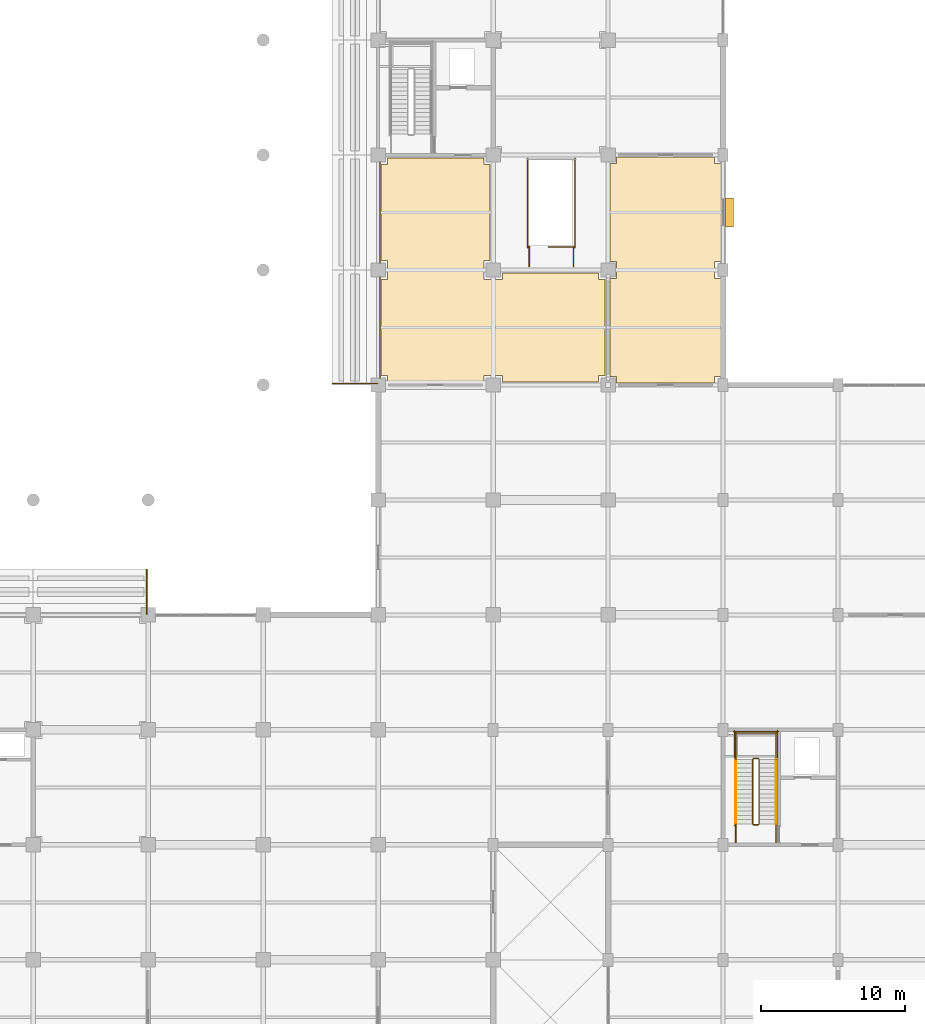
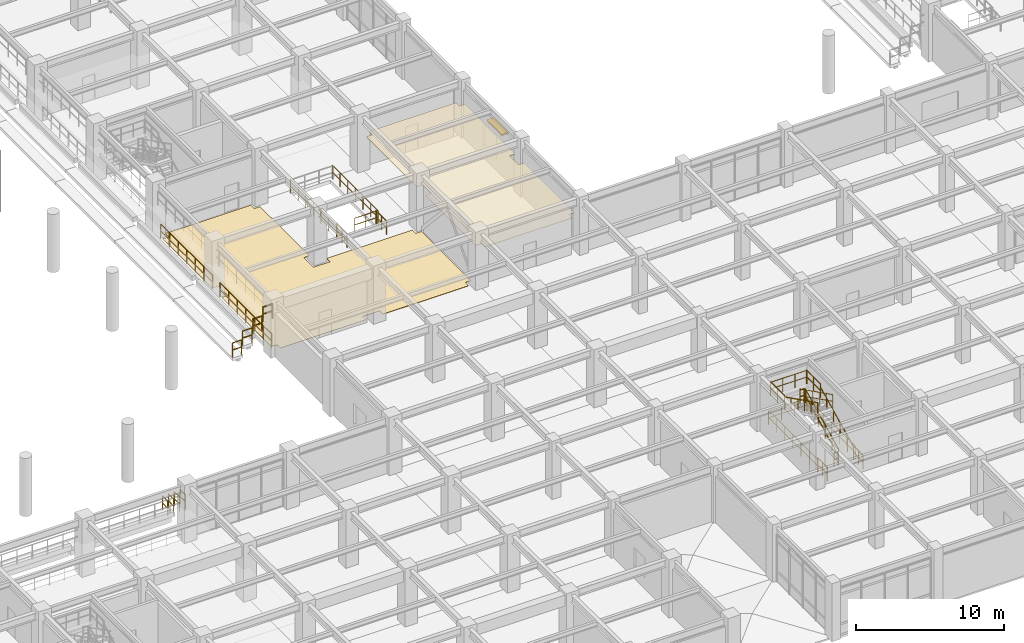
# One storey, part 106 of 117: 29 railings, 2 coverings, 1 shading device.
"""IFC4 building model written with IfcOpenShell, lengths in metres."""

from ifc_helpers import new_model, si_unit, direction, frame, origin, origin_2d, place, context, subcontext, project, spatial, polyline, rectangle, circle, outline, extrude, material, layer, layer_set, type_object, element, save


model = new_model("IFC4")

# Units and contexts
model_context = context("Model", 3, precision=1e-05, world=origin(), true_north=direction((0.0, 1.0)))
body_context = subcontext(model_context, "Body", "Model", "MODEL_VIEW")
ifc_project = project(units=[si_unit("LENGTHUNIT", "METRE"), si_unit("AREAUNIT", "SQUARE_METRE"), si_unit("VOLUMEUNIT", "CUBIC_METRE"), si_unit("PLANEANGLEUNIT", "RADIAN"), si_unit("MASSUNIT", "GRAM", prefix="KILO")], contexts=[model_context])

# Site, building, storey
site_placement = place(None, origin())
site = spatial("IfcSite", under=ifc_project, at=site_placement, CompositionType="ELEMENT")
building_placement = place(site_placement, origin())
building = spatial("IfcBuilding", under=site, at=building_placement, Name="Haebicheon Civic Stadium", CompositionType="ELEMENT")
storey_placement = place(building_placement, frame((0.0, 0.0, 4.800048828125)))
storey = spatial("IfcBuildingStorey", under=building, at=storey_placement, Name="L02", CompositionType="ELEMENT", Elevation=4.800048828125)

# Coverings
ifc_material_1 = material(Name="Perforated mineral-fibre acoustic board", Category="gypsum")
ifc_layer_1 = layer(ifc_material_1, 0.0400390625, Name="Perforated mineral-fibre acoustic board")
ifc_layer_set_1 = layer_set([ifc_layer_1], Name="Perforated mineral-fibre acoustic board")
covering_type_1 = type_object("IfcCoveringType", Name="COV-CLG-AC", PredefinedType="CEILING", material=ifc_layer_set_1)
covering_1_placement = place(storey_placement, frame((0.0, 0.0, 2.81005859375)))
element("IfcCovering", 1, at=covering_1_placement, inside=storey, type_object=covering_type_1, material=ifc_layer_set_1, Name="L02 Main Spectator Concourse acoustic ceiling", PredefinedType="CEILING", context=body_context, shape_type="SweptSolid", body=[
    extrude(outline(polyline([(160.594970703125, 48.14501953125), (160.594970703125, 48.594970703125), (160.14501953125, 48.594970703125), (160.14501953125, 55.405029296875), (160.594970703125, 55.405029296875), (160.594970703125, 56.594970703125), (160.14501953125, 56.594970703125), (160.14501953125, 63.405029296875), (160.594970703125, 63.405029296875), (160.594970703125, 63.85498046875), (167.405029296875, 63.85498046875), (167.405029296875, 63.405029296875), (167.85498046875, 63.405029296875), (167.85498046875, 56.594970703125), (167.405029296875, 56.594970703125), (167.405029296875, 55.405029296875), (167.85498046875, 55.405029296875), (167.85498046875, 48.594970703125), (167.405029296875, 48.594970703125), (167.405029296875, 48.14501953125), (160.594970703125, 48.14501953125)])), origin(), (0.0, 0.0, 1.0), 0.039794921875),
])
ifc_material_2 = material(Name="Quartz epoxy resin mortar", Category="concrete")
ifc_layer_2 = layer(ifc_material_2, 0.030029296875, Name="Quartz epoxy resin mortar")
ifc_layer_set_2 = layer_set([ifc_layer_2], Name="Quartz epoxy resin mortar")
covering_type_2 = type_object("IfcCoveringType", Name="COV-FLR-EPX", PredefinedType="FLOORING", material=ifc_layer_set_2)
covering_2_placement = place(storey_placement, origin())
element("IfcCovering", 2, at=covering_2_placement, inside=storey, type_object=covering_type_2, material=ifc_layer_set_2, Name="L02 Main Spectator Concourse non-slip floor finish", PredefinedType="FLOORING", context=body_context, shape_type="SweptSolid", body=[
    extrude(outline(polyline([(144.199951171875, 55.35009765625), (144.64990234375, 55.35009765625), (144.64990234375, 56.64990234375), (144.199951171875, 56.64990234375), (144.199951171875, 63.35009765625), (144.64990234375, 63.35009765625), (144.64990234375, 63.800048828125), (151.35009765625, 63.800048828125), (151.35009765625, 63.35009765625), (151.800048828125, 63.35009765625), (151.800048828125, 56.64990234375), (151.35009765625, 56.64990234375), (151.35009765625, 55.35009765625), (152.64990234375, 55.35009765625), (152.64990234375, 55.800048828125), (159.35009765625, 55.800048828125), (159.35009765625, 55.35009765625), (159.800048828125, 55.35009765625), (159.800048828125, 48.64990234375), (159.35009765625, 48.64990234375), (159.35009765625, 48.199951171875), (152.64990234375, 48.199951171875), (152.64990234375, 48.64990234375), (151.35009765625, 48.64990234375), (151.35009765625, 48.199951171875), (144.64990234375, 48.199951171875), (144.64990234375, 48.64990234375), (144.199951171875, 48.64990234375), (144.199951171875, 55.35009765625)])), origin(), (0.0, 0.0, 1.0), 0.030029296875),
])

# Railings
ifc_material_3 = material(Name="Stainless steel 316 and laminated glass", Category="steel")
railing_type_1 = type_object("IfcRailingType", Name="RL-BAL-1200", PredefinedType="BALUSTRADE", material=ifc_material_3)
for number, where, name in (
    (3, (144.139892578125, 48.5, 0.0), "L02 concourse bowl-edge balustrade 024"),
    (4, (144.139892578125, 56.5, 0.0), "L02 concourse bowl-edge balustrade 025"),
):
    element("IfcRailing", number, at=place(storey_placement, frame(where)), inside=storey, type_object=railing_type_1, material=ifc_material_3, Name=name, PredefinedType="BALUSTRADE", context=body_context, shape_type="SweptSolid", body=[
        extrude(circle(Radius=0.02392578125, at=origin_2d()), frame((0.0, 0.0, 1.17578125), z_axis=(0.0, 1.0, 0.0), x_axis=(-1.0, 0.0, 0.0)), (0.0, 0.0, 1.0), 7.0),
        extrude(circle(Radius=0.02392578125, at=origin_2d()), frame((0.0, 0.0, 0.60009765625), z_axis=(0.0, 1.0, 0.0), x_axis=(-1.0, 0.0, 0.0)), (0.0, 0.0, 1.0), 7.0),
        extrude(circle(Radius=0.02099609375, at=origin_2d()), origin(), (0.0, 0.0, 1.0), 1.15185546875),
        extrude(circle(Radius=0.02099609375, at=origin_2d()), frame((0.0, 1.166748046875, 0.0)), (0.0, 0.0, 1.0), 1.15185546875),
        extrude(circle(Radius=0.02099609375, at=origin_2d()), frame((0.0, 2.333251953125, 0.0)), (0.0, 0.0, 1.0), 1.15185546875),
        extrude(circle(Radius=0.02099609375, at=origin_2d()), frame((0.0, 3.5, 0.0)), (0.0, 0.0, 1.0), 1.15185546875),
        extrude(circle(Radius=0.02099609375, at=origin_2d()), frame((0.0, 4.666748046875, 0.0)), (0.0, 0.0, 1.0), 1.15185546875),
        extrude(circle(Radius=0.02099609375, at=origin_2d()), frame((0.0, 5.833251953125, 0.0)), (0.0, 0.0, 1.0), 1.15185546875),
        extrude(circle(Radius=0.02099609375, at=origin_2d()), frame((0.0, 7.0, 0.0)), (0.0, 0.0, 1.0), 1.15185546875),
    ])
railing_1_placement = place(storey_placement, frame((140.840087890625, 48.10009765625, 0.6669921875)))
element("IfcRailing", 5, at=railing_1_placement, inside=storey, type_object=railing_type_1, material=ifc_material_3, Name="TIER-E-L end-aisle side guard S.7", PredefinedType="BALUSTRADE", context=body_context, shape_type="SweptSolid", body=[
    extrude(circle(Radius=0.02392578125, at=origin_2d()), frame((0.0, 0.0, 1.17578125), z_axis=(1.0, 0.0, 0.0), x_axis=(0.0, 1.0, 0.0)), (0.0, 0.0, 1.0), 0.719970703125),
    extrude(circle(Radius=0.02392578125, at=origin_2d()), frame((0.0, 0.0, 0.60009765625), z_axis=(1.0, 0.0, 0.0), x_axis=(0.0, 1.0, 0.0)), (0.0, 0.0, 1.0), 0.719970703125),
    extrude(circle(Radius=0.02099609375, at=origin_2d()), origin(), (0.0, 0.0, 1.0), 1.15185546875),
    extrude(circle(Radius=0.02099609375, at=origin_2d()), frame((0.719970703125, 0.0, 0.0)), (0.0, 0.0, 1.0), 1.15185546875),
])
railing_2_placement = place(storey_placement, frame((141.639892578125, 48.10009765625, 1.3779296875)))
element("IfcRailing", 6, at=railing_2_placement, inside=storey, type_object=railing_type_1, material=ifc_material_3, Name="TIER-E-L end-aisle side guard S.8", PredefinedType="BALUSTRADE", context=body_context, shape_type="SweptSolid", body=[
    extrude(circle(Radius=0.02392578125, at=origin_2d()), frame((0.0, 0.0, 1.17578125), z_axis=(1.0, 0.0, 0.0), x_axis=(0.0, 1.0, 0.0)), (0.0, 0.0, 1.0), 0.72021484375),
    extrude(circle(Radius=0.02392578125, at=origin_2d()), frame((0.0, 0.0, 0.60009765625), z_axis=(1.0, 0.0, 0.0), x_axis=(0.0, 1.0, 0.0)), (0.0, 0.0, 1.0), 0.72021484375),
    extrude(circle(Radius=0.02099609375, at=origin_2d()), origin(), (0.0, 0.0, 1.0), 1.15185546875),
    extrude(circle(Radius=0.02099609375, at=origin_2d()), frame((0.72021484375, 0.0, 0.0)), (0.0, 0.0, 1.0), 1.15185546875),
])
for number, where, name in (
    (7, (142.43994140625, 48.10009765625, 2.0888671875), "TIER-E-L end-aisle side guard S.9"),
    (8, (143.239990234375, 48.10009765625, 2.800048828125), "TIER-E-L end-aisle side guard S.10"),
):
    element("IfcRailing", number, at=place(storey_placement, frame(where)), inside=storey, type_object=railing_type_1, material=ifc_material_3, Name=name, PredefinedType="BALUSTRADE", context=body_context, shape_type="SweptSolid", body=[
        extrude(circle(Radius=0.02392578125, at=origin_2d()), frame((0.0, 0.0, 1.17578125), z_axis=(1.0, 0.0, 0.0), x_axis=(0.0, 1.0, 0.0)), (0.0, 0.0, 1.0), 0.719970703125),
        extrude(circle(Radius=0.02392578125, at=origin_2d()), frame((0.0, 0.0, 0.60009765625), z_axis=(1.0, 0.0, 0.0), x_axis=(0.0, 1.0, 0.0)), (0.0, 0.0, 1.0), 0.719970703125),
        extrude(circle(Radius=0.02099609375, at=origin_2d()), origin(), (0.0, 0.0, 1.0), 1.15185546875),
        extrude(circle(Radius=0.02099609375, at=origin_2d()), frame((0.719970703125, 0.0, 0.0)), (0.0, 0.0, 1.0), 1.15185546875),
    ])
railing_3_placement = place(storey_placement, frame((127.89990234375, 34.43994140625, 0.39990234375)))
element("IfcRailing", 9, at=railing_3_placement, inside=storey, type_object=railing_type_1, material=ifc_material_3, Name="TIER-S-L end-aisle side guard E.7", PredefinedType="BALUSTRADE", context=body_context, shape_type="SweptSolid", body=[
    extrude(circle(Radius=0.02392578125, at=origin_2d()), frame((0.0, 0.0, 1.17578125), z_axis=(0.0, 1.0, 0.0), x_axis=(-1.0, 0.0, 0.0)), (0.0, 0.0, 1.0), 0.719970703125),
    extrude(circle(Radius=0.02392578125, at=origin_2d()), frame((0.0, 0.0, 0.60009765625), z_axis=(0.0, 1.0, 0.0), x_axis=(-1.0, 0.0, 0.0)), (0.0, 0.0, 1.0), 0.719970703125),
    extrude(circle(Radius=0.02099609375, at=origin_2d()), origin(), (0.0, 0.0, 1.0), 1.15185546875),
    extrude(circle(Radius=0.02099609375, at=origin_2d()), frame((0.0, 0.719970703125, 0.0)), (0.0, 0.0, 1.0), 1.15185546875),
])
railing_4_placement = place(storey_placement, frame((127.89990234375, 33.639892578125, 1.06689453125)))
element("IfcRailing", 10, at=railing_4_placement, inside=storey, type_object=railing_type_1, material=ifc_material_3, Name="TIER-S-L end-aisle side guard E.8", PredefinedType="BALUSTRADE", context=body_context, shape_type="SweptSolid", body=[
    extrude(circle(Radius=0.02392578125, at=origin_2d()), frame((0.0, 0.0, 1.17578125), z_axis=(0.0, 1.0, 0.0), x_axis=(-1.0, 0.0, 0.0)), (0.0, 0.0, 1.0), 0.72021484375),
    extrude(circle(Radius=0.02392578125, at=origin_2d()), frame((0.0, 0.0, 0.60009765625), z_axis=(0.0, 1.0, 0.0), x_axis=(-1.0, 0.0, 0.0)), (0.0, 0.0, 1.0), 0.72021484375),
    extrude(circle(Radius=0.02099609375, at=origin_2d()), origin(), (0.0, 0.0, 1.0), 1.15185546875),
    extrude(circle(Radius=0.02099609375, at=origin_2d()), frame((0.0, 0.72021484375, 0.0)), (0.0, 0.0, 1.0), 1.15185546875),
])
for number, where, name in (
    (11, (127.89990234375, 32.840087890625, 1.73291015625), "TIER-S-L end-aisle side guard E.9"),
    (12, (127.89990234375, 32.0400390625, 2.39990234375), "TIER-S-L end-aisle side guard E.10"),
):
    element("IfcRailing", number, at=place(storey_placement, frame(where)), inside=storey, type_object=railing_type_1, material=ifc_material_3, Name=name, PredefinedType="BALUSTRADE", context=body_context, shape_type="SweptSolid", body=[
        extrude(circle(Radius=0.02392578125, at=origin_2d()), frame((0.0, 0.0, 1.17578125), z_axis=(0.0, 1.0, 0.0), x_axis=(-1.0, 0.0, 0.0)), (0.0, 0.0, 1.0), 0.719970703125),
        extrude(circle(Radius=0.02392578125, at=origin_2d()), frame((0.0, 0.0, 0.60009765625), z_axis=(0.0, 1.0, 0.0), x_axis=(-1.0, 0.0, 0.0)), (0.0, 0.0, 1.0), 0.719970703125),
        extrude(circle(Radius=0.02099609375, at=origin_2d()), origin(), (0.0, 0.0, 1.0), 1.15185546875),
        extrude(circle(Radius=0.02099609375, at=origin_2d()), frame((0.0, 0.719970703125, 0.0)), (0.0, 0.0, 1.0), 1.15185546875),
    ])
ifc_material_4 = material(Name="Galvanised painted steel SM355", Category="steel")
railing_type_2 = type_object("IfcRailingType", Name="RL-GRD-1150", PredefinedType="GUARDRAIL", material=ifc_material_4)
railing_5_placement = place(storey_placement, frame((170.510009765625, 17.449951171875, 0.14990234375)))
element("IfcRailing", 13, at=railing_5_placement, inside=storey, type_object=railing_type_2, material=ifc_material_4, Name="L02 ST-14 stair guard 1", PredefinedType="GUARDRAIL", context=body_context, shape_type="SweptSolid", body=[
    extrude(circle(Radius=0.02392578125, at=origin_2d()), frame((0.0, 0.0, 1.1259765625), z_axis=(0.0, 0.894427191, 0.4472135955), x_axis=(-1.0, 0.0, 0.0)), (0.0, 0.0, 1.0), 5.03125),
    extrude(circle(Radius=0.02392578125, at=origin_2d()), frame((0.0, 0.0, 0.574951171875), z_axis=(0.0, 0.894427191, 0.4472135955), x_axis=(-1.0, 0.0, 0.0)), (0.0, 0.0, 1.0), 5.03125),
    extrude(circle(Radius=0.02099609375, at=origin_2d()), origin(), (0.0, 0.0, 1.0), 1.101806640625),
    extrude(circle(Radius=0.02099609375, at=origin_2d()), frame((0.0, 0.89990234375, 0.449951171875)), (0.0, 0.0, 1.0), 1.101806640625),
    extrude(circle(Radius=0.02099609375, at=origin_2d()), frame((0.0, 1.800048828125, 0.89990234375)), (0.0, 0.0, 1.0), 1.101806640625),
    extrude(circle(Radius=0.02099609375, at=origin_2d()), frame((0.0, 2.699951171875, 1.35009765625)), (0.0, 0.0, 1.0), 1.101806640625),
    extrude(circle(Radius=0.02099609375, at=origin_2d()), frame((0.0, 3.60009765625, 1.800048828125)), (0.0, 0.0, 1.0), 1.101806640625),
    extrude(circle(Radius=0.02099609375, at=origin_2d()), frame((0.0, 4.5, 2.25)), (0.0, 0.0, 1.0), 1.101806640625),
])
railing_6_placement = place(storey_placement, frame((170.4599609375, 22.0, 2.39990234375)))
element("IfcRailing", 14, at=railing_6_placement, inside=storey, type_object=railing_type_2, material=ifc_material_4, Name="L02 ST-14 stair guard 2", PredefinedType="GUARDRAIL", context=body_context, shape_type="SweptSolid", body=[
    extrude(circle(Radius=0.02392578125, at=origin_2d()), frame((0.0, 0.0, 1.1259765625), z_axis=(-1.0, 0.0, 0.0), x_axis=(0.0, -1.0, 0.0)), (0.0, 0.0, 1.0), 0.33984375),
    extrude(circle(Radius=0.02392578125, at=origin_2d()), frame((0.0, 0.0, 0.574951171875), z_axis=(-1.0, 0.0, 0.0), x_axis=(0.0, -1.0, 0.0)), (0.0, 0.0, 1.0), 0.33984375),
    extrude(circle(Radius=0.02099609375, at=origin_2d()), origin(), (0.0, 0.0, 1.0), 1.101806640625),
    extrude(circle(Radius=0.02099609375, at=origin_2d()), frame((-0.33984375, 0.0, 0.0)), (0.0, 0.0, 1.0), 1.101806640625),
])
for number, where, name in (
    (15, (171.68994140625, 21.949951171875, 2.39990234375), "L02 ST-14 stair guard 3"),
    (16, (168.889892578125, 21.949951171875, 2.39990234375), "L02 ST-14 stair guard 4"),
):
    element("IfcRailing", number, at=place(storey_placement, frame(where)), inside=storey, type_object=railing_type_2, material=ifc_material_4, Name=name, PredefinedType="GUARDRAIL", context=body_context, shape_type="SweptSolid", body=[
        extrude(circle(Radius=0.02392578125, at=origin_2d()), frame((0.0, 0.0, 1.1259765625), z_axis=(0.0, 1.0, 0.0), x_axis=(-1.0, 0.0, 0.0)), (0.0, 0.0, 1.0), 1.89013671875),
        extrude(circle(Radius=0.02392578125, at=origin_2d()), frame((0.0, 0.0, 0.574951171875), z_axis=(0.0, 1.0, 0.0), x_axis=(-1.0, 0.0, 0.0)), (0.0, 0.0, 1.0), 1.89013671875),
        extrude(circle(Radius=0.02099609375, at=origin_2d()), origin(), (0.0, 0.0, 1.0), 1.101806640625),
        extrude(circle(Radius=0.02099609375, at=origin_2d()), frame((0.0, 0.945068359375, 0.0)), (0.0, 0.0, 1.0), 1.101806640625),
        extrude(circle(Radius=0.02099609375, at=origin_2d()), frame((0.0, 1.89013671875, 0.0)), (0.0, 0.0, 1.0), 1.101806640625),
    ])
railing_7_placement = place(storey_placement, frame((171.739990234375, 23.7900390625, 2.39990234375)))
element("IfcRailing", 17, at=railing_7_placement, inside=storey, type_object=railing_type_2, material=ifc_material_4, Name="L02 ST-14 stair guard 5", PredefinedType="GUARDRAIL", context=body_context, shape_type="SweptSolid", body=[
    extrude(circle(Radius=0.02392578125, at=origin_2d()), frame((0.0, 0.0, 1.1259765625), z_axis=(-1.0, 0.0, 0.0), x_axis=(0.0, -1.0, 0.0)), (0.0, 0.0, 1.0), 2.89990234375),
    extrude(circle(Radius=0.02392578125, at=origin_2d()), frame((0.0, 0.0, 0.574951171875), z_axis=(-1.0, 0.0, 0.0), x_axis=(0.0, -1.0, 0.0)), (0.0, 0.0, 1.0), 2.89990234375),
    extrude(circle(Radius=0.02099609375, at=origin_2d()), origin(), (0.0, 0.0, 1.0), 1.101806640625),
    extrude(circle(Radius=0.02099609375, at=origin_2d()), frame((-0.966552734375, 0.0, 0.0)), (0.0, 0.0, 1.0), 1.101806640625),
    extrude(circle(Radius=0.02099609375, at=origin_2d()), frame((-1.933349609375, 0.0, 0.0)), (0.0, 0.0, 1.0), 1.101806640625),
    extrude(circle(Radius=0.02099609375, at=origin_2d()), frame((-2.89990234375, 0.0, 0.0)), (0.0, 0.0, 1.0), 1.101806640625),
])
railing_8_placement = place(storey_placement, frame((170.070068359375, 21.949951171875, 2.550048828125)))
element("IfcRailing", 18, at=railing_8_placement, inside=storey, type_object=railing_type_2, material=ifc_material_4, Name="L02 ST-14 stair guard 6", PredefinedType="GUARDRAIL", context=body_context, shape_type="SweptSolid", body=[
    extrude(circle(Radius=0.02392578125, at=origin_2d()), frame((0.0, 0.0, 1.1259765625), z_axis=(0.0, -0.894427191, 0.4472135955), x_axis=(1.0, 0.0, 0.0)), (0.0, 0.0, 1.0), 5.03125),
    extrude(circle(Radius=0.02392578125, at=origin_2d()), frame((0.0, 0.0, 0.574951171875), z_axis=(0.0, -0.894427191, 0.4472135955), x_axis=(1.0, 0.0, 0.0)), (0.0, 0.0, 1.0), 5.03125),
    extrude(circle(Radius=0.02099609375, at=origin_2d()), origin(), (0.0, 0.0, 1.0), 1.101806640625),
    extrude(circle(Radius=0.02099609375, at=origin_2d()), frame((0.0, -0.89990234375, 0.449951171875)), (0.0, 0.0, 1.0), 1.101806640625),
    extrude(circle(Radius=0.02099609375, at=origin_2d()), frame((0.0, -1.800048828125, 0.89990234375)), (0.0, 0.0, 1.0), 1.101806640625),
    extrude(circle(Radius=0.02099609375, at=origin_2d()), frame((0.0, -2.699951171875, 1.35009765625)), (0.0, 0.0, 1.0), 1.101806640625),
    extrude(circle(Radius=0.02099609375, at=origin_2d()), frame((0.0, -3.60009765625, 1.800048828125)), (0.0, 0.0, 1.0), 1.101806640625),
    extrude(circle(Radius=0.02099609375, at=origin_2d()), frame((0.0, -4.5, 2.25)), (0.0, 0.0, 1.0), 1.101806640625),
])
railing_9_placement = place(storey_placement, frame((170.4599609375, 17.39990234375, 0.0)))
element("IfcRailing", 19, at=railing_9_placement, inside=storey, type_object=railing_type_2, material=ifc_material_4, Name="L02 ST-14 stair guard 7", PredefinedType="GUARDRAIL", context=body_context, shape_type="SweptSolid", body=[
    extrude(circle(Radius=0.02392578125, at=origin_2d()), frame((0.0, 0.0, 1.1259765625), z_axis=(-1.0, 0.0, 0.0), x_axis=(0.0, -1.0, 0.0)), (0.0, 0.0, 1.0), 0.33984375),
    extrude(circle(Radius=0.02392578125, at=origin_2d()), frame((0.0, 0.0, 0.574951171875), z_axis=(-1.0, 0.0, 0.0), x_axis=(0.0, -1.0, 0.0)), (0.0, 0.0, 1.0), 0.33984375),
    extrude(circle(Radius=0.02099609375, at=origin_2d()), origin(), (0.0, 0.0, 1.0), 1.101806640625),
    extrude(circle(Radius=0.02099609375, at=origin_2d()), frame((-0.33984375, 0.0, 0.0)), (0.0, 0.0, 1.0), 1.101806640625),
])
for number, where, name in (
    (20, (171.68994140625, 16.159912109375, 0.0), "L02 ST-14 stair guard 8"),
    (21, (168.889892578125, 16.159912109375, 0.0), "L02 ST-14 stair guard 9"),
):
    element("IfcRailing", number, at=place(storey_placement, frame(where)), inside=storey, type_object=railing_type_2, material=ifc_material_4, Name=name, PredefinedType="GUARDRAIL", context=body_context, shape_type="SweptSolid", body=[
        extrude(circle(Radius=0.02392578125, at=origin_2d()), frame((0.0, 0.0, 1.1259765625), z_axis=(0.0, 1.0, 0.0), x_axis=(-1.0, 0.0, 0.0)), (0.0, 0.0, 1.0), 1.2900390625),
        extrude(circle(Radius=0.02392578125, at=origin_2d()), frame((0.0, 0.0, 0.574951171875), z_axis=(0.0, 1.0, 0.0), x_axis=(-1.0, 0.0, 0.0)), (0.0, 0.0, 1.0), 1.2900390625),
        extrude(circle(Radius=0.02099609375, at=origin_2d()), origin(), (0.0, 0.0, 1.0), 1.101806640625),
        extrude(circle(Radius=0.02099609375, at=origin_2d()), frame((0.0, 0.64501953125, 0.0)), (0.0, 0.0, 1.0), 1.101806640625),
        extrude(circle(Radius=0.02099609375, at=origin_2d()), frame((0.0, 1.2900390625, 0.0)), (0.0, 0.0, 1.0), 1.101806640625),
    ])
for number, where, name in (
    (22, (171.7900390625, 17.35009765625, 0.0), "L02 ST-14 stair guard 10"),
    (23, (168.7900390625, 17.35009765625, 0.0), "L02 ST-14 stair guard 11"),
):
    element("IfcRailing", number, at=place(storey_placement, frame(where)), inside=storey, type_object=railing_type_2, material=ifc_material_4, Name=name, PredefinedType="GUARDRAIL", context=body_context, shape_type="SweptSolid", body=[
        extrude(circle(Radius=0.02392578125, at=origin_2d()), frame((0.0, 0.0, 1.1259765625), z_axis=(0.0, 1.0, 0.0), x_axis=(-1.0, 0.0, 0.0)), (0.0, 0.0, 1.0), 6.58984375),
        extrude(circle(Radius=0.02392578125, at=origin_2d()), frame((0.0, 0.0, 0.574951171875), z_axis=(0.0, 1.0, 0.0), x_axis=(-1.0, 0.0, 0.0)), (0.0, 0.0, 1.0), 6.58984375),
        extrude(circle(Radius=0.02099609375, at=origin_2d()), origin(), (0.0, 0.0, 1.0), 1.101806640625),
        extrude(circle(Radius=0.02099609375, at=origin_2d()), frame((0.0, 1.098388671875, 0.0)), (0.0, 0.0, 1.0), 1.101806640625),
        extrude(circle(Radius=0.02099609375, at=origin_2d()), frame((0.0, 2.196533203125, 0.0)), (0.0, 0.0, 1.0), 1.101806640625),
        extrude(circle(Radius=0.02099609375, at=origin_2d()), frame((0.0, 3.294921875, 0.0)), (0.0, 0.0, 1.0), 1.101806640625),
        extrude(circle(Radius=0.02099609375, at=origin_2d()), frame((0.0, 4.393310546875, 0.0)), (0.0, 0.0, 1.0), 1.101806640625),
        extrude(circle(Radius=0.02099609375, at=origin_2d()), frame((0.0, 5.491455078125, 0.0)), (0.0, 0.0, 1.0), 1.101806640625),
        extrude(circle(Radius=0.02099609375, at=origin_2d()), frame((0.0, 6.58984375, 0.0)), (0.0, 0.0, 1.0), 1.101806640625),
    ])
railing_10_placement = place(storey_placement, frame((171.840087890625, 23.889892578125, 0.0)))
element("IfcRailing", 24, at=railing_10_placement, inside=storey, type_object=railing_type_2, material=ifc_material_4, Name="L02 ST-14 stair guard 12", PredefinedType="GUARDRAIL", context=body_context, shape_type="SweptSolid", body=[
    extrude(circle(Radius=0.02392578125, at=origin_2d()), frame((0.0, 0.0, 1.1259765625), z_axis=(-1.0, 0.0, 0.0), x_axis=(0.0, -1.0, 0.0)), (0.0, 0.0, 1.0), 3.10009765625),
    extrude(circle(Radius=0.02392578125, at=origin_2d()), frame((0.0, 0.0, 0.574951171875), z_axis=(-1.0, 0.0, 0.0), x_axis=(0.0, -1.0, 0.0)), (0.0, 0.0, 1.0), 3.10009765625),
    extrude(circle(Radius=0.02099609375, at=origin_2d()), origin(), (0.0, 0.0, 1.0), 1.101806640625),
    extrude(circle(Radius=0.02099609375, at=origin_2d()), frame((-1.033447265625, 0.0, 0.0)), (0.0, 0.0, 1.0), 1.101806640625),
    extrude(circle(Radius=0.02099609375, at=origin_2d()), frame((-2.066650390625, 0.0, 0.0)), (0.0, 0.0, 1.0), 1.101806640625),
    extrude(circle(Radius=0.02099609375, at=origin_2d()), frame((-3.10009765625, 0.0, 0.0)), (0.0, 0.0, 1.0), 1.101806640625),
])
railing_11_placement = place(storey_placement, frame((157.639892578125, 57.60009765625, 0.0)))
element("IfcRailing", 25, at=railing_11_placement, inside=storey, type_object=railing_type_2, material=ifc_material_4, Name="L02 VM-06 top well guard 1", PredefinedType="GUARDRAIL", context=body_context, shape_type="SweptSolid", body=[
    extrude(circle(Radius=0.02392578125, at=origin_2d()), frame((0.0, 0.0, 1.1259765625), z_axis=(-1.0, 0.0, 0.0), x_axis=(0.0, -1.0, 0.0)), (0.0, 0.0, 1.0), 1.77978515625),
    extrude(circle(Radius=0.02392578125, at=origin_2d()), frame((0.0, 0.0, 0.574951171875), z_axis=(-1.0, 0.0, 0.0), x_axis=(0.0, -1.0, 0.0)), (0.0, 0.0, 1.0), 1.77978515625),
    extrude(circle(Radius=0.02099609375, at=origin_2d()), origin(), (0.0, 0.0, 1.0), 1.101806640625),
    extrude(circle(Radius=0.02099609375, at=origin_2d()), frame((-0.889892578125, 0.0, 0.0)), (0.0, 0.0, 1.0), 1.101806640625),
    extrude(circle(Radius=0.02099609375, at=origin_2d()), frame((-1.77978515625, 0.0, 0.0)), (0.0, 0.0, 1.0), 1.101806640625),
])
for number, where, name in (
    (26, (157.68994140625, 57.550048828125, 0.0), "L02 VM-06 top well guard 2"),
    (27, (154.409912109375, 57.550048828125, 0.0), "L02 VM-06 top well guard 3"),
):
    element("IfcRailing", number, at=place(storey_placement, frame(where)), inside=storey, type_object=railing_type_2, material=ifc_material_4, Name=name, PredefinedType="GUARDRAIL", context=body_context, shape_type="SweptSolid", body=[
        extrude(circle(Radius=0.02392578125, at=origin_2d()), frame((0.0, 0.0, 1.1259765625), z_axis=(0.0, 1.0, 0.0), x_axis=(-1.0, 0.0, 0.0)), (0.0, 0.0, 1.0), 6.199951171875),
        extrude(circle(Radius=0.02392578125, at=origin_2d()), frame((0.0, 0.0, 0.574951171875), z_axis=(0.0, 1.0, 0.0), x_axis=(-1.0, 0.0, 0.0)), (0.0, 0.0, 1.0), 6.199951171875),
        extrude(circle(Radius=0.02099609375, at=origin_2d()), origin(), (0.0, 0.0, 1.0), 1.101806640625),
        extrude(circle(Radius=0.02099609375, at=origin_2d()), frame((0.0, 1.033203125, 0.0)), (0.0, 0.0, 1.0), 1.101806640625),
        extrude(circle(Radius=0.02099609375, at=origin_2d()), frame((0.0, 2.066650390625, 0.0)), (0.0, 0.0, 1.0), 1.101806640625),
        extrude(circle(Radius=0.02099609375, at=origin_2d()), frame((0.0, 3.10009765625, 0.0)), (0.0, 0.0, 1.0), 1.101806640625),
        extrude(circle(Radius=0.02099609375, at=origin_2d()), frame((0.0, 4.13330078125, 0.0)), (0.0, 0.0, 1.0), 1.101806640625),
        extrude(circle(Radius=0.02099609375, at=origin_2d()), frame((0.0, 5.16650390625, 0.0)), (0.0, 0.0, 1.0), 1.101806640625),
        extrude(circle(Radius=0.02099609375, at=origin_2d()), frame((0.0, 6.199951171875, 0.0)), (0.0, 0.0, 1.0), 1.101806640625),
    ])
for number, where, name in (
    (28, (157.590087890625, 56.25, 0.0), "L02 VM-06 top well guard 5"),
    (29, (154.510009765625, 56.25, 0.0), "L02 VM-06 top well guard 6"),
):
    element("IfcRailing", number, at=place(storey_placement, frame(where)), inside=storey, type_object=railing_type_2, material=ifc_material_4, Name=name, PredefinedType="GUARDRAIL", context=body_context, shape_type="SweptSolid", body=[
        extrude(circle(Radius=0.02392578125, at=origin_2d()), frame((0.0, 0.0, 1.1259765625), z_axis=(0.0, 1.0, 0.0), x_axis=(-1.0, 0.0, 0.0)), (0.0, 0.0, 1.0), 1.39990234375),
        extrude(circle(Radius=0.02392578125, at=origin_2d()), frame((0.0, 0.0, 0.574951171875), z_axis=(0.0, 1.0, 0.0), x_axis=(-1.0, 0.0, 0.0)), (0.0, 0.0, 1.0), 1.39990234375),
        extrude(circle(Radius=0.02099609375, at=origin_2d()), origin(), (0.0, 0.0, 1.0), 1.101806640625),
        extrude(circle(Radius=0.02099609375, at=origin_2d()), frame((0.0, 0.699951171875, 0.0)), (0.0, 0.0, 1.0), 1.101806640625),
        extrude(circle(Radius=0.02099609375, at=origin_2d()), frame((0.0, 1.39990234375, 0.0)), (0.0, 0.0, 1.0), 1.101806640625),
    ])
ifc_material_5 = material(Name="Stainless steel 316", Category="steel")
railing_type_3 = type_object("IfcRailingType", Name="RL-HND-900", PredefinedType="HANDRAIL", material=ifc_material_5)
railing_12_placement = place(storey_placement, frame((171.68994140625, 17.449951171875, 0.14990234375)))
element("IfcRailing", 30, at=railing_12_placement, inside=storey, type_object=railing_type_3, material=ifc_material_5, Name="L02 ST-14 stair handrail 1", PredefinedType="HANDRAIL", context=body_context, shape_type="SweptSolid", body=[
    extrude(circle(Radius=0.02392578125, at=origin_2d()), frame((0.0, 0.0, 0.8759765625), z_axis=(0.0, 0.894427191, 0.4472135955), x_axis=(-1.0, 0.0, 0.0)), (0.0, 0.0, 1.0), 5.03125),
    extrude(circle(Radius=0.02099609375, at=origin_2d()), origin(), (0.0, 0.0, 1.0), 0.851806640625),
    extrude(circle(Radius=0.02099609375, at=origin_2d()), frame((0.0, 0.89990234375, 0.449951171875)), (0.0, 0.0, 1.0), 0.851806640625),
    extrude(circle(Radius=0.02099609375, at=origin_2d()), frame((0.0, 1.800048828125, 0.89990234375)), (0.0, 0.0, 1.0), 0.851806640625),
    extrude(circle(Radius=0.02099609375, at=origin_2d()), frame((0.0, 2.699951171875, 1.35009765625)), (0.0, 0.0, 1.0), 0.851806640625),
    extrude(circle(Radius=0.02099609375, at=origin_2d()), frame((0.0, 3.60009765625, 1.800048828125)), (0.0, 0.0, 1.0), 0.851806640625),
    extrude(circle(Radius=0.02099609375, at=origin_2d()), frame((0.0, 4.5, 2.25)), (0.0, 0.0, 1.0), 0.851806640625),
])
railing_13_placement = place(storey_placement, frame((168.889892578125, 21.949951171875, 2.550048828125)))
element("IfcRailing", 31, at=railing_13_placement, inside=storey, type_object=railing_type_3, material=ifc_material_5, Name="L02 ST-14 stair handrail 2", PredefinedType="HANDRAIL", context=body_context, shape_type="SweptSolid", body=[
    extrude(circle(Radius=0.02392578125, at=origin_2d()), frame((0.0, 0.0, 0.8759765625), z_axis=(0.0, -0.894427191, 0.4472135955), x_axis=(1.0, 0.0, 0.0)), (0.0, 0.0, 1.0), 5.03125),
    extrude(circle(Radius=0.02099609375, at=origin_2d()), origin(), (0.0, 0.0, 1.0), 0.851806640625),
    extrude(circle(Radius=0.02099609375, at=origin_2d()), frame((0.0, -0.89990234375, 0.449951171875)), (0.0, 0.0, 1.0), 0.851806640625),
    extrude(circle(Radius=0.02099609375, at=origin_2d()), frame((0.0, -1.800048828125, 0.89990234375)), (0.0, 0.0, 1.0), 0.851806640625),
    extrude(circle(Radius=0.02099609375, at=origin_2d()), frame((0.0, -2.699951171875, 1.35009765625)), (0.0, 0.0, 1.0), 0.851806640625),
    extrude(circle(Radius=0.02099609375, at=origin_2d()), frame((0.0, -3.60009765625, 1.800048828125)), (0.0, 0.0, 1.0), 0.851806640625),
    extrude(circle(Radius=0.02099609375, at=origin_2d()), frame((0.0, -4.5, 2.25)), (0.0, 0.0, 1.0), 0.851806640625),
])

# Shading device
ifc_material_6 = material(Name="Anodised aluminium 6063-T6", Category="aluminium")
ifc_layer_3 = layer(ifc_material_6, 0.1201171875, Name="Anodised aluminium 6063-T6")
ifc_layer_set_3 = layer_set([ifc_layer_3], Name="Anodised aluminium 6063-T6")
shading_device_type = type_object("IfcShadingDeviceType", Name="SHD-ALU-LVR", PredefinedType="USERDEFINED", material=ifc_layer_set_3)
shading_device_placement = place(storey_placement, frame((168.445068359375, 60.0, 2.769775390625), z_axis=(0.0, 0.0, 1.0), x_axis=(1.0, 0.0, 0.0)))
element("IfcShadingDevice", 32, at=shading_device_placement, inside=storey, type_object=shading_device_type, material=ifc_layer_set_3, Name="L02 window sunshade louvre hood 18", ObjectType="LOUVRE", PredefinedType="USERDEFINED", context=body_context, shape_type="SweptSolid", body=[
    extrude(rectangle(XDim=0.550048828125, YDim=2.0, at=origin_2d()), origin(), (0.0, 0.0, 1.0), 0.1201171875),
])

save(model, "model.ifc")
